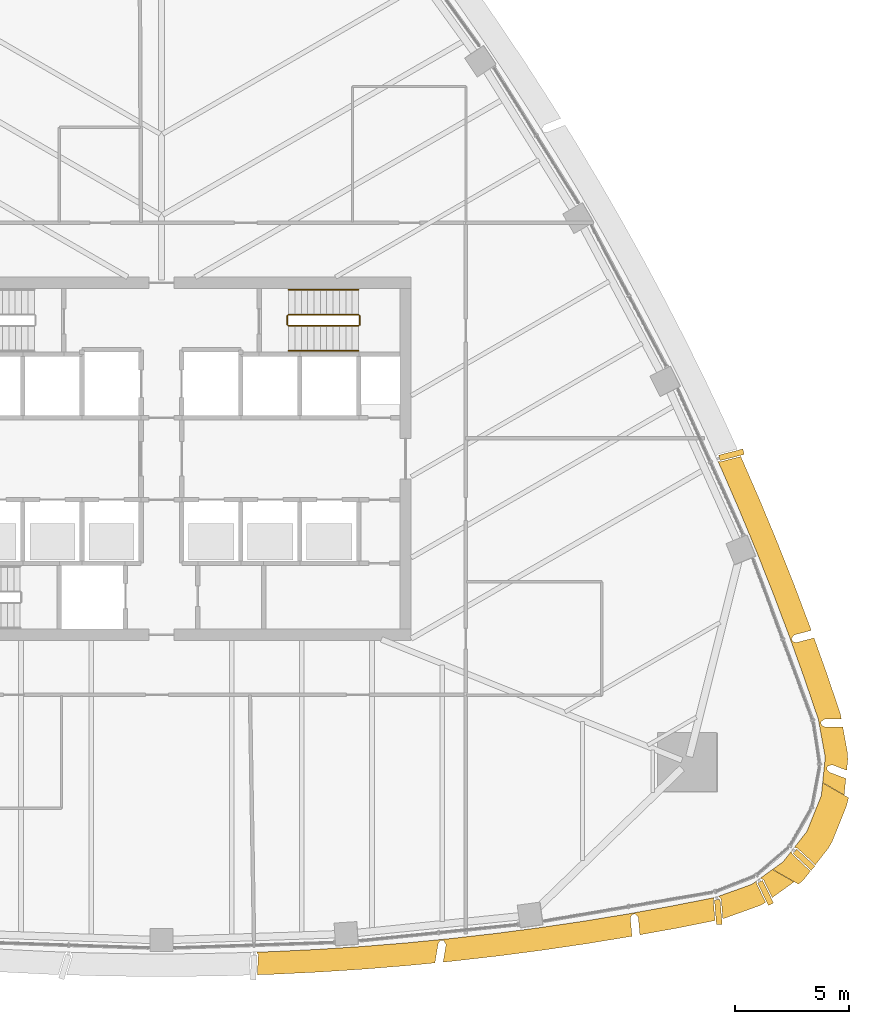
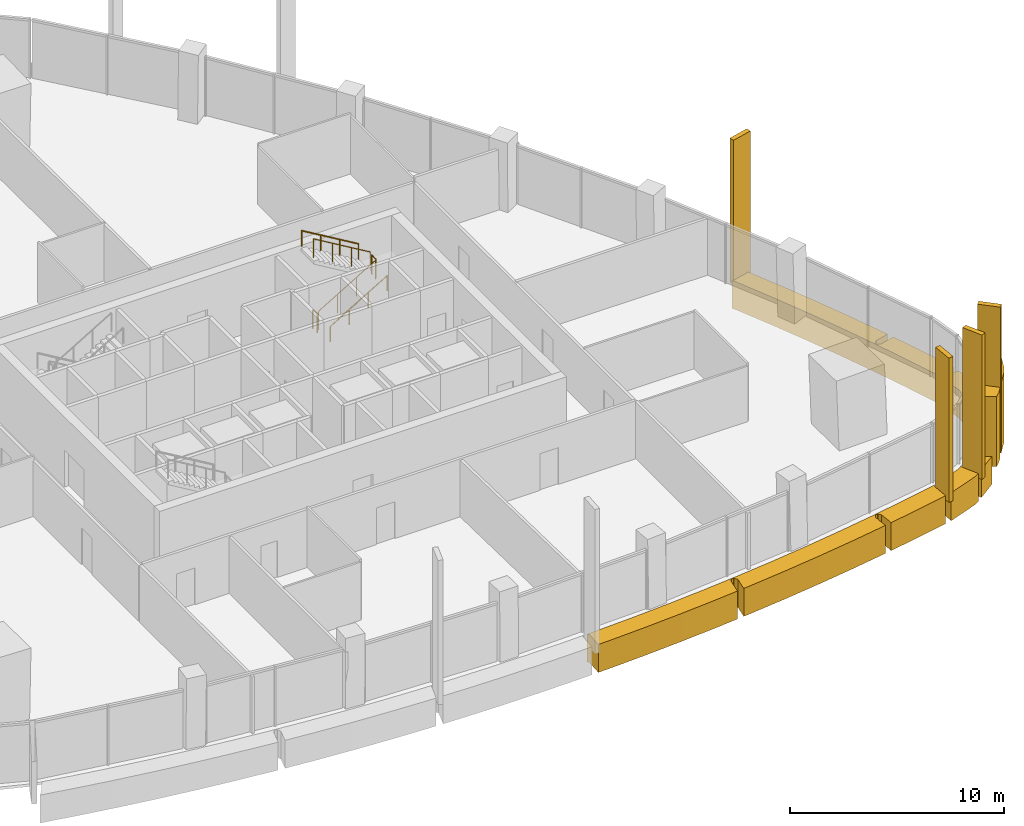
# One storey, part 17 of 19: 10 coverings, 6 railings.
"""IFC4 building model written with IfcOpenShell, lengths in metres."""

from ifc_helpers import new_model, si_unit, direction, frame, origin, origin_2d, place, context, subcontext, project, spatial, polyline, rectangle, circle, outline, extrude, material, layer, layer_set, material_profile, profile_set, type_object, element, save


model = new_model("IFC4")

# Units and contexts
model_context = context("Model", 3, precision=1e-05, world=origin(), true_north=direction((0.0, 1.0)))
body_context = subcontext(model_context, "Body", "Model", "MODEL_VIEW")
ifc_project = project(units=[si_unit("LENGTHUNIT", "METRE"), si_unit("AREAUNIT", "SQUARE_METRE"), si_unit("VOLUMEUNIT", "CUBIC_METRE"), si_unit("PLANEANGLEUNIT", "RADIAN"), si_unit("MASSUNIT", "GRAM", prefix="KILO")], contexts=[model_context])

# Site, building, storey
site_placement = place(None, origin())
site = spatial("IfcSite", under=ifc_project, at=site_placement, CompositionType="ELEMENT")
building_placement = place(site_placement, origin())
building = spatial("IfcBuilding", under=site, at=building_placement, Name="Sierra Prisma Convention Tower", CompositionType="ELEMENT")
storey_placement = place(building_placement, frame((0.0, 0.0, 193.800048828125)))
storey = spatial("IfcBuildingStorey", under=building, at=storey_placement, Name="L43", CompositionType="ELEMENT", Elevation=193.800048828125)

# Coverings
ifc_material_1 = material(Name="Aluminium composite bronze anodised", Category="aluminium")
ifc_layer_1 = layer(ifc_material_1, 1.199951171875)
ifc_layer_set_1 = layer_set([ifc_layer_1], Name="Bronze corner pier")
covering_type_1 = type_object("IfcCoveringType", Name="Bronze corner pier", PredefinedType="CLADDING", material=ifc_layer_set_1)
covering_1_placement = place(storey_placement, frame((0.0, 0.0, -0.60009765625)))
element("IfcCovering", 1, at=covering_1_placement, inside=storey, type_object=covering_type_1, Name="Corner pier SE L43.1", PredefinedType="CLADDING", context=body_context, shape_type="SweptSolid", body=[
    extrude(outline(polyline([(28.4326171875, -16.41552734375), (29.067138671875, -14.840087890625), (29.124755859375, -14.27490234375), (30.263916015625, -14.9326171875), (30.260986328125, -14.9619140625), (30.18017578125, -15.28857421875), (29.545654296875, -16.864013671875), (29.37744140625, -17.1552734375), (28.80322265625, -17.888671875), (28.022216796875, -17.158935546875), (28.0185546875, -17.155517578125), (28.014404296875, -17.15283203125), (28.010009765625, -17.150390625), (28.005126953125, -17.1484375), (28.00048828125, -17.14697265625), (27.99560546875, -17.14599609375), (27.87451171875, -17.128173828125), (28.4326171875, -16.41552734375)])), origin(), (0.0, 0.0, 1.0), 4.0),
])
covering_2_placement = place(storey_placement, frame((0.0, 0.0, -0.60009765625)))
element("IfcCovering", 2, at=covering_2_placement, inside=storey, type_object=covering_type_1, Name="Corner pier SE L43.2", PredefinedType="CLADDING", context=body_context, shape_type="SweptSolid", body=[
    extrude(outline(polyline([(27.77978515625, -17.410888671875), (27.783203125, -17.41455078125), (28.586669921875, -18.165283203125), (28.330322265625, -18.49267578125), (28.087890625, -18.725830078125), (28.06396484375, -18.7431640625), (26.9248046875, -18.08544921875), (27.385498046875, -17.752685546875), (27.740234375, -17.2998046875), (27.769775390625, -17.393310546875), (27.771484375, -17.39794921875), (27.77392578125, -17.402587890625), (27.776611328125, -17.406982421875), (27.77978515625, -17.410888671875)])), origin(), (0.0, 0.0, 1.0), 4.0),
])
ifc_material_2 = material(Name="Aluminium 6063-T6 bronze anodised", Category="aluminium")
ifc_material_profile = material_profile(ifc_material_2, rectangle(XDim=1.10009765625, YDim=0.25, at=origin_2d()), Name="ALU FIN 1100x250")
ifc_profile_set = profile_set([ifc_material_profile], Name="Aluminium 6063-T6 bronze anodised")
covering_type_2 = type_object("IfcCoveringType", Name="Bronze facade fin", PredefinedType="CLADDING", material=ifc_profile_set)
for number, where, z_axis, x_axis, name in (
    (3, (24.528076171875, -19.96875, -0.300048828125), (0.0, 0.0, 1.0), (0.082012792841, -0.996631276757, 0.0), "Fin L43.18"),
    (4, (26.60986328125, -19.128662109375, -0.300048828125), (0.0, 0.0, 1.0), (0.43558559935, -0.900147313299, 0.0), "Fin L43.19"),
    (5, (28.3046875, -17.662353515625, -0.300048828125), (0.0, 0.0, 1.0), (0.730649291617, -0.682752966057, 0.0), "Fin L43.20"),
    (6, (25.110107421875, 0.174560546875, -0.300048828125), (0.0, 0.0, 1.0), (0.968538264306, 0.248864683261, 0.0), "Fin L43.27"),
):
    element("IfcCovering", number, at=place(storey_placement, frame(where, z_axis=z_axis, x_axis=x_axis)), inside=storey, type_object=covering_type_2, Name=name, ObjectType="FIN", PredefinedType="CLADDING", context=body_context, shape_type="SweptSolid", body=[
        extrude(rectangle(XDim=1.10009765625, YDim=0.25, at=origin_2d()), origin(), (0.0, 0.0, 1.0), 8.25),
    ])
ifc_material_3 = material(Name="Aluminium composite bronze anodised", Category="aluminium")
ifc_layer_2 = layer(ifc_material_3, 1.0)
ifc_layer_set_2 = layer_set([ifc_layer_2], Name="Bronze spandrel band")
covering_type_3 = type_object("IfcCoveringType", Name="Bronze spandrel band", PredefinedType="CLADDING", material=ifc_layer_set_2)
covering_3_placement = place(storey_placement, frame((0.0, 0.0, -1.60009765625)))
element("IfcCovering", 7, at=covering_3_placement, inside=storey, type_object=covering_type_3, Name="Spandrel band L43.7", PredefinedType="CLADDING", context=body_context, shape_type="SweptSolid", body=[
    extrude(outline(polyline([(27.882568359375, -7.75830078125), (27.878173828125, -7.760498046875), (27.8740234375, -7.763427734375), (27.870361328125, -7.766845703125), (27.86669921875, -7.7705078125), (27.768798828125, -7.885009765625), (27.765869140625, -7.888671875), (27.76318359375, -7.892578125), (27.76123046875, -7.89697265625), (27.759521484375, -7.9013671875), (27.758056640625, -7.906005859375), (27.757080078125, -7.91064453125), (27.7568359375, -7.91552734375), (27.7568359375, -7.92041015625), (27.75732421875, -7.925048828125), (27.75830078125, -7.9296875), (27.759765625, -7.934326171875), (27.793701171875, -8.0283203125), (27.79541015625, -8.032958984375), (27.797607421875, -8.037109375), (27.80029296875, -8.041259765625), (27.803466796875, -8.044921875), (27.806884765625, -8.04833984375), (27.810546875, -8.051513671875), (27.814697265625, -8.05419921875), (27.81884765625, -8.056640625), (27.823486328125, -8.05859375), (27.827880859375, -8.059814453125), (27.955810546875, -8.093017578125), (27.9609375, -8.09423828125), (27.966064453125, -8.0947265625), (27.97119140625, -8.0947265625), (27.976318359375, -8.093994140625), (27.981201171875, -8.093017578125), (28.744140625, -7.89208984375), (29.24267578125, -9.280517578125), (29.248046875, -9.2958984375), (29.88232421875, -11.156982421875), (29.919921875, -11.30078125), (29.948486328125, -11.459228515625), (29.228515625, -11.463134765625), (29.223876953125, -11.46337890625), (29.21923828125, -11.464111328125), (29.214599609375, -11.465087890625), (29.210205078125, -11.466796875), (29.2060546875, -11.468505859375), (29.201904296875, -11.470947265625), (29.1982421875, -11.4736328125), (29.072021484375, -11.57080078125), (29.068115234375, -11.57421875), (29.064697265625, -11.57763671875), (29.0615234375, -11.58154296875), (29.058837890625, -11.585693359375), (29.056640625, -11.590087890625), (29.054931640625, -11.5947265625), (29.0537109375, -11.599609375), (29.052734375, -11.6044921875), (29.052490234375, -11.609619140625), (29.052490234375, -11.614501953125), (29.05322265625, -11.619384765625), (29.071044921875, -11.7177734375), (29.072265625, -11.722900390625), (29.073974609375, -11.727783203125), (29.076171875, -11.732421875), (29.078857421875, -11.73681640625), (29.08203125, -11.740966796875), (29.08544921875, -11.74462890625), (29.08935546875, -11.748046875), (29.093505859375, -11.751220703125), (29.09814453125, -11.753662109375), (29.2080078125, -11.80810546875), (29.212158203125, -11.809814453125), (29.216552734375, -11.811279296875), (29.22119140625, -11.8125), (29.2255859375, -11.81298828125), (29.23046875, -11.813232421875), (30.01220703125, -11.808837890625), (30.223388671875, -12.9716796875), (30.234375, -13.251953125), (30.18603515625, -13.725341796875), (29.5517578125, -13.484375), (29.547119140625, -13.482666015625), (29.5419921875, -13.481689453125), (29.537109375, -13.481201171875), (29.5322265625, -13.48095703125), (29.52734375, -13.4814453125), (29.5224609375, -13.482421875), (29.517578125, -13.48388671875), (29.35888671875, -13.538818359375), (29.3544921875, -13.54052734375), (29.350341796875, -13.54248046875), (29.34619140625, -13.545166015625), (29.342529296875, -13.548095703125), (29.339111328125, -13.55126953125), (29.3359375, -13.554931640625), (29.333251953125, -13.558837890625), (29.330810546875, -13.56298828125), (29.328857421875, -13.567138671875), (29.327392578125, -13.571533203125), (29.326171875, -13.576171875), (29.325439453125, -13.580810546875), (29.3154296875, -13.680419921875), (29.315185546875, -13.685302734375), (29.315185546875, -13.690185546875), (29.316162109375, -13.6953125), (29.3173828125, -13.699951171875), (29.31884765625, -13.70458984375), (29.321044921875, -13.708984375), (29.323486328125, -13.71337890625), (29.32666015625, -13.71728515625), (29.329833984375, -13.720947265625), (29.409912109375, -13.80029296875), (29.413818359375, -13.8037109375), (29.418212890625, -13.806640625), (29.422607421875, -13.809326171875), (29.427490234375, -13.811279296875), (30.149169921875, -14.085693359375), (30.0751953125, -14.81201171875), (29.1259765625, -14.263916015625), (29.239501953125, -13.150634765625), (28.935791015625, -11.4794921875), (28.301513671875, -9.618408203125), (27.63720703125, -7.767822265625), (26.942626953125, -5.928466796875), (26.21826171875, -4.100341796875), (25.46435546875, -2.284423828125), (24.680908203125, -0.48095703125), (24.514404296875, -0.1142578125), (24.597900390625, -0.13232421875), (24.6025390625, -0.133056640625), (24.607177734375, -0.133544921875), (24.61181640625, -0.13330078125), (24.616455078125, -0.1328125), (24.620849609375, -0.1318359375), (25.516357421875, 0.09814453125), (25.591552734375, -0.067626953125), (25.59814453125, -0.08251953125), (26.381591796875, -1.885986328125), (26.3876953125, -1.90087890625), (27.141845703125, -3.716796875), (27.14794921875, -3.73193359375), (27.872314453125, -5.56005859375), (27.878173828125, -5.5751953125), (28.572509765625, -7.414794921875), (28.578125, -7.429931640625), (28.62548828125, -7.561279296875), (27.89208984375, -7.754638671875), (27.88720703125, -7.756103515625), (27.882568359375, -7.75830078125)])), origin(), (0.0, 0.0, 1.0), 1.60009765625),
])
covering_4_placement = place(storey_placement, frame((0.0, 0.0, -1.60009765625)))
element("IfcCovering", 8, at=covering_4_placement, inside=storey, type_object=covering_type_3, Name="Spandrel band L43.8", PredefinedType="CLADDING", context=body_context, shape_type="SweptSolid", body=[
    extrude(outline(polyline([(26.903564453125, -19.333984375), (26.52783203125, -18.557373046875), (26.525634765625, -18.55322265625), (26.52294921875, -18.54931640625), (26.52001953125, -18.5458984375), (26.516845703125, -18.54248046875), (26.51318359375, -18.53955078125), (26.509521484375, -18.536865234375), (26.50537109375, -18.53466796875), (26.38623046875, -18.47412109375), (26.916015625, -18.091796875), (27.865234375, -18.639892578125), (26.903564453125, -19.333984375)])), origin(), (0.0, 0.0, 1.0), 1.60009765625),
])
covering_5_placement = place(storey_placement, frame((0.0, 0.0, -1.60009765625)))
element("IfcCovering", 9, at=covering_5_placement, inside=storey, type_object=covering_type_3, Name="Spandrel band L43.9", PredefinedType="CLADDING", context=body_context, shape_type="SweptSolid", body=[
    extrude(outline(polyline([(26.207763671875, -18.687255859375), (26.2080078125, -18.69189453125), (26.20849609375, -18.696533203125), (26.20947265625, -18.701171875), (26.2109375, -18.70556640625), (26.212890625, -18.709716796875), (26.615478515625, -19.5419921875), (26.59375, -19.5576171875), (26.345703125, -19.688232421875), (24.74658203125, -20.260986328125), (24.72802734375, -20.26611328125), (24.657470703125, -19.40625), (24.65673828125, -19.4013671875), (24.655517578125, -19.396484375), (24.654052734375, -19.391845703125), (24.65185546875, -19.38720703125), (24.6494140625, -19.3828125), (24.646484375, -19.37890625), (24.643310546875, -19.375244140625), (24.54150390625, -19.272216796875), (26.008544921875, -18.746826171875), (26.208984375, -18.60205078125), (26.207763671875, -18.687255859375)])), origin(), (0.0, 0.0, 1.0), 1.60009765625),
])
covering_6_placement = place(storey_placement, frame((0.0, 0.0, -1.60009765625)))
element("IfcCovering", 10, at=covering_6_placement, inside=storey, type_object=covering_type_3, Name="Spandrel band L43.10", PredefinedType="CLADDING", context=body_context, shape_type="SweptSolid", body=[
    extrude(outline(polyline([(20.873291015625, -20.05712890625), (20.86865234375, -20.055908203125), (20.864013671875, -20.05517578125), (20.859130859375, -20.054931640625), (20.854248046875, -20.05517578125), (20.849609375, -20.0556640625), (20.751220703125, -20.073486328125), (20.74658203125, -20.07470703125), (20.741943359375, -20.076171875), (20.7373046875, -20.078125), (20.733154296875, -20.08056640625), (20.729248046875, -20.083251953125), (20.7255859375, -20.08642578125), (20.72216796875, -20.090087890625), (20.71923828125, -20.09375), (20.716552734375, -20.097900390625), (20.71435546875, -20.102294921875), (20.660400390625, -20.222900390625), (20.65869140625, -20.2275390625), (20.6572265625, -20.232666015625), (20.656494140625, -20.237548828125), (20.656005859375, -20.24267578125), (20.65625, -20.247802734375), (20.728271484375, -21.03369140625), (20.7236328125, -21.034423828125), (20.70751953125, -21.037353515625), (18.767333984375, -21.355712890625), (18.751220703125, -21.358154296875), (16.805908203125, -21.644775390625), (16.789794921875, -21.64697265625), (14.840087890625, -21.902099609375), (14.82421875, -21.904052734375), (12.87060546875, -22.127197265625), (12.8544921875, -22.129150390625), (12.4091796875, -22.172607421875), (12.5341796875, -21.4189453125), (12.534912109375, -21.4140625), (12.534912109375, -21.4091796875), (12.53466796875, -21.404296875), (12.53369140625, -21.3994140625), (12.5322265625, -21.39453125), (12.530517578125, -21.389892578125), (12.528076171875, -21.385498046875), (12.44287109375, -21.24072265625), (12.440185546875, -21.23681640625), (12.437255859375, -21.233154296875), (12.43408203125, -21.229736328125), (12.430419921875, -21.2265625), (12.426513671875, -21.223876953125), (12.422607421875, -21.221435546875), (12.418212890625, -21.219482421875), (12.413818359375, -21.218017578125), (12.4091796875, -21.217041015625), (12.404296875, -21.21630859375), (12.399658203125, -21.216064453125), (12.39501953125, -21.21630859375), (12.29541015625, -21.22607421875), (12.29052734375, -21.226806640625), (12.28564453125, -21.22802734375), (12.281005859375, -21.229736328125), (12.276611328125, -21.231689453125), (12.272216796875, -21.234375), (12.268310546875, -21.2373046875), (12.2646484375, -21.24072265625), (12.261474609375, -21.244384765625), (12.258544921875, -21.248291015625), (12.196533203125, -21.342529296875), (12.194091796875, -21.346923828125), (12.19189453125, -21.351806640625), (12.190185546875, -21.356689453125), (12.18896484375, -21.36181640625), (12.048583984375, -22.2080078125), (10.8974609375, -22.320556640625), (10.88134765625, -22.322021484375), (8.92138671875, -22.481689453125), (8.9052734375, -22.48291015625), (6.943115234375, -22.610595703125), (6.927001953125, -22.611572265625), (4.963134765625, -22.70751953125), (4.94677734375, -22.7080078125), (4.219970703125, -22.731689453125), (4.267578125, -21.864990234375), (4.267578125, -21.860107421875), (4.26708984375, -21.85498046875), (4.26611328125, -21.85009765625), (4.2646484375, -21.84521484375), (4.2626953125, -21.840576171875), (4.26025390625, -21.836181640625), (4.1962890625, -21.73193359375), (4.914306640625, -21.708740234375), (6.878173828125, -21.61279296875), (8.84033203125, -21.485107421875), (10.800048828125, -21.3251953125), (12.757080078125, -21.1337890625), (14.71044921875, -20.910400390625), (16.66015625, -20.655517578125), (18.60546875, -20.368896484375), (20.545654296875, -20.050537109375), (22.480712890625, -19.70068359375), (24.33935546875, -19.333251953125), (24.311279296875, -19.414306640625), (24.309814453125, -19.41943359375), (24.308837890625, -19.424560546875), (24.308349609375, -19.4296875), (24.30859375, -19.434814453125), (24.38330078125, -20.343994140625), (22.674560546875, -20.681640625), (22.658447265625, -20.684814453125), (21.073974609375, -20.97119140625), (21.0048828125, -20.2158203125), (21.004150390625, -20.2109375), (21.0029296875, -20.2060546875), (21.001220703125, -20.201416015625), (20.9990234375, -20.19677734375), (20.99658203125, -20.1923828125), (20.993408203125, -20.1884765625), (20.896728515625, -20.072998046875), (20.8935546875, -20.0693359375), (20.889892578125, -20.066162109375), (20.88623046875, -20.063232421875), (20.882080078125, -20.060791015625), (20.877685546875, -20.058837890625), (20.873291015625, -20.05712890625)])), origin(), (0.0, 0.0, 1.0), 1.60009765625),
])

# Railings
ifc_material_4 = material(Name="Stainless steel", Category="steel")
railing_type_1 = type_object("IfcRailingType", Name="Exit stair handrail", PredefinedType="HANDRAIL", material=ifc_material_4)
railing_1_placement = place(storey_placement, frame((5.60009765625, 4.75, 0.16650390625)))
element("IfcRailing", 11, at=railing_1_placement, inside=storey, type_object=railing_type_1, Name="L43 S4 stair handrail 1", PredefinedType="HANDRAIL", context=body_context, shape_type="SweptSolid", body=[
    extrude(circle(Radius=0.02392578125, at=origin_2d()), frame((0.0, 0.0, 0.8759765625), z_axis=(0.859260807169, 0.0, 0.511537745687), x_axis=(0.0, 1.0, 0.0)), (0.0, 0.0, 1.0), 3.584228515625),
    extrude(circle(Radius=0.02099609375, at=origin_2d()), origin(), (0.0, 0.0, 1.0), 0.851806640625),
    extrude(circle(Radius=0.02099609375, at=origin_2d()), frame((1.026611328125, 0.0, 0.611083984375)), (0.0, 0.0, 1.0), 0.851806640625),
    extrude(circle(Radius=0.02099609375, at=origin_2d()), frame((2.05322265625, 0.0, 1.222412109375)), (0.0, 0.0, 1.0), 0.851806640625),
    extrude(circle(Radius=0.02099609375, at=origin_2d()), frame((3.079833984375, 0.0, 1.83349609375)), (0.0, 0.0, 1.0), 0.851806640625),
])
railing_2_placement = place(storey_placement, frame((8.679931640625, 7.449951171875, 2.16650390625)))
element("IfcRailing", 12, at=railing_2_placement, inside=storey, type_object=railing_type_1, Name="L43 S4 stair handrail 2", PredefinedType="HANDRAIL", context=body_context, shape_type="SweptSolid", body=[
    extrude(circle(Radius=0.02392578125, at=origin_2d()), frame((0.0, 0.0, 0.8759765625), z_axis=(-0.859260807169, 0.0, 0.511537745687), x_axis=(0.0, -1.0, 0.0)), (0.0, 0.0, 1.0), 3.584228515625),
    extrude(circle(Radius=0.02099609375, at=origin_2d()), origin(), (0.0, 0.0, 1.0), 0.851806640625),
    extrude(circle(Radius=0.02099609375, at=origin_2d()), frame((-1.026611328125, 0.0, 0.611083984375)), (0.0, 0.0, 1.0), 0.851806640625),
    extrude(circle(Radius=0.02099609375, at=origin_2d()), frame((-2.05322265625, 0.0, 1.222412109375)), (0.0, 0.0, 1.0), 0.851806640625),
    extrude(circle(Radius=0.02099609375, at=origin_2d()), frame((-3.079833984375, 0.0, 1.83349609375)), (0.0, 0.0, 1.0), 0.851806640625),
])
ifc_material_5 = material(Name="Stainless steel", Category="steel")
railing_type_2 = type_object("IfcRailingType", Name="Stair guard 1100", PredefinedType="GUARDRAIL", material=ifc_material_5)
railing_3_placement = place(storey_placement, frame((5.60009765625, 5.85009765625, 0.16650390625)))
element("IfcRailing", 13, at=railing_3_placement, inside=storey, type_object=railing_type_2, Name="L43 S4 stair guard 1", PredefinedType="GUARDRAIL", context=body_context, shape_type="SweptSolid", body=[
    extrude(circle(Radius=0.02392578125, at=origin_2d()), frame((0.0, 0.0, 1.076171875), z_axis=(0.859260807169, 0.0, 0.511537745687), x_axis=(0.0, 1.0, 0.0)), (0.0, 0.0, 1.0), 3.584228515625),
    extrude(circle(Radius=0.02099609375, at=origin_2d()), origin(), (0.0, 0.0, 1.0), 1.052001953125),
    extrude(circle(Radius=0.02099609375, at=origin_2d()), frame((1.026611328125, 0.0, 0.611083984375)), (0.0, 0.0, 1.0), 1.052001953125),
    extrude(circle(Radius=0.02099609375, at=origin_2d()), frame((2.05322265625, 0.0, 1.222412109375)), (0.0, 0.0, 1.0), 1.052001953125),
    extrude(circle(Radius=0.02099609375, at=origin_2d()), frame((3.079833984375, 0.0, 1.83349609375)), (0.0, 0.0, 1.0), 1.052001953125),
])
railing_4_placement = place(storey_placement, frame((8.72998046875, 5.89990234375, 2.0)))
element("IfcRailing", 14, at=railing_4_placement, inside=storey, type_object=railing_type_2, Name="L43 S4 stair guard 2", PredefinedType="GUARDRAIL", context=body_context, shape_type="SweptSolid", body=[
    extrude(circle(Radius=0.02392578125, at=origin_2d()), frame((0.0, 0.0, 1.076171875), z_axis=(0.0, 1.0, 0.0), x_axis=(-1.0, 0.0, 0.0)), (0.0, 0.0, 1.0), 0.400146484375),
    extrude(circle(Radius=0.02099609375, at=origin_2d()), origin(), (0.0, 0.0, 1.0), 1.052001953125),
    extrude(circle(Radius=0.02099609375, at=origin_2d()), frame((0.0, 0.400146484375, 0.0)), (0.0, 0.0, 1.0), 1.052001953125),
])
railing_5_placement = place(storey_placement, frame((8.679931640625, 6.35009765625, 2.16650390625)))
element("IfcRailing", 15, at=railing_5_placement, inside=storey, type_object=railing_type_2, Name="L43 S4 stair guard 3", PredefinedType="GUARDRAIL", context=body_context, shape_type="SweptSolid", body=[
    extrude(circle(Radius=0.02392578125, at=origin_2d()), frame((0.0, 0.0, 1.076171875), z_axis=(-0.859260807169, 0.0, 0.511537745687), x_axis=(0.0, -1.0, 0.0)), (0.0, 0.0, 1.0), 3.584228515625),
    extrude(circle(Radius=0.02099609375, at=origin_2d()), origin(), (0.0, 0.0, 1.0), 1.052001953125),
    extrude(circle(Radius=0.02099609375, at=origin_2d()), frame((-1.026611328125, 0.0, 0.611083984375)), (0.0, 0.0, 1.0), 1.052001953125),
    extrude(circle(Radius=0.02099609375, at=origin_2d()), frame((-2.05322265625, 0.0, 1.222412109375)), (0.0, 0.0, 1.0), 1.052001953125),
    extrude(circle(Radius=0.02099609375, at=origin_2d()), frame((-3.079833984375, 0.0, 1.83349609375)), (0.0, 0.0, 1.0), 1.052001953125),
])
railing_6_placement = place(storey_placement, frame((5.550048828125, 5.89990234375, 0.0)))
element("IfcRailing", 16, at=railing_6_placement, inside=storey, type_object=railing_type_2, Name="L43 S4 stair guard 4", PredefinedType="GUARDRAIL", context=body_context, shape_type="SweptSolid", body=[
    extrude(circle(Radius=0.02392578125, at=origin_2d()), frame((0.0, 0.0, 1.076171875), z_axis=(0.0, 1.0, 0.0), x_axis=(-1.0, 0.0, 0.0)), (0.0, 0.0, 1.0), 0.400146484375),
    extrude(circle(Radius=0.02099609375, at=origin_2d()), origin(), (0.0, 0.0, 1.0), 1.052001953125),
    extrude(circle(Radius=0.02099609375, at=origin_2d()), frame((0.0, 0.400146484375, 0.0)), (0.0, 0.0, 1.0), 1.052001953125),
])

save(model, "model.ifc")
